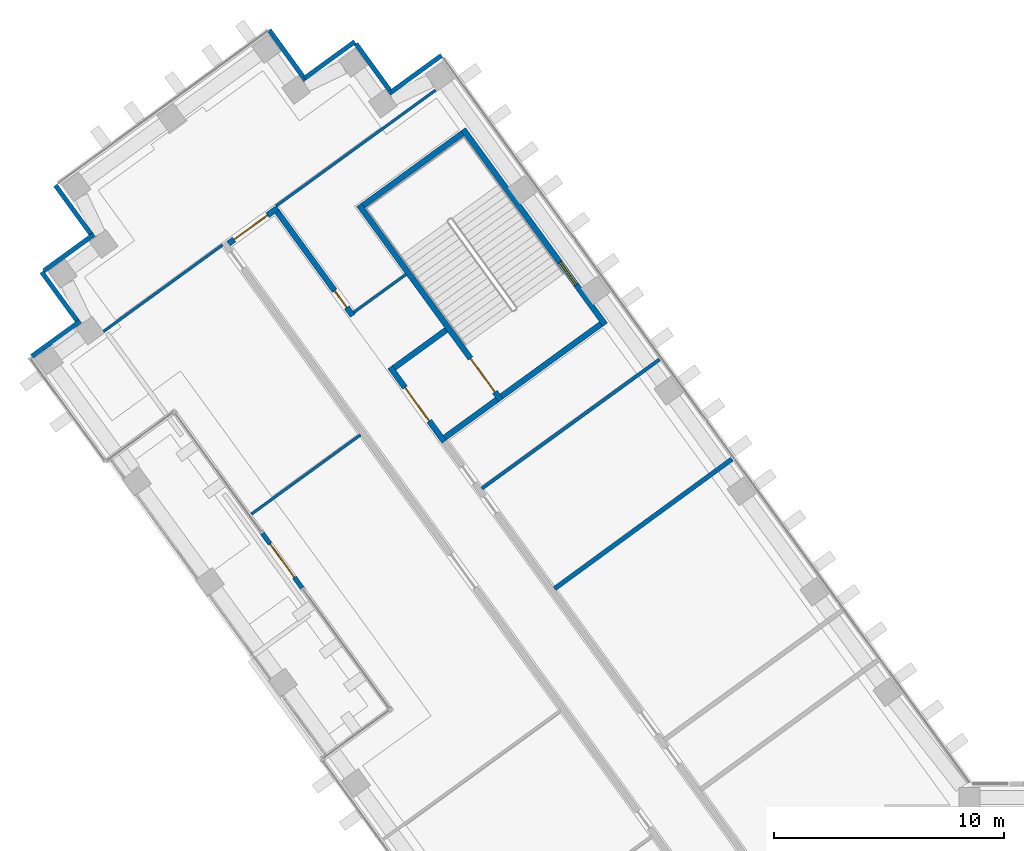
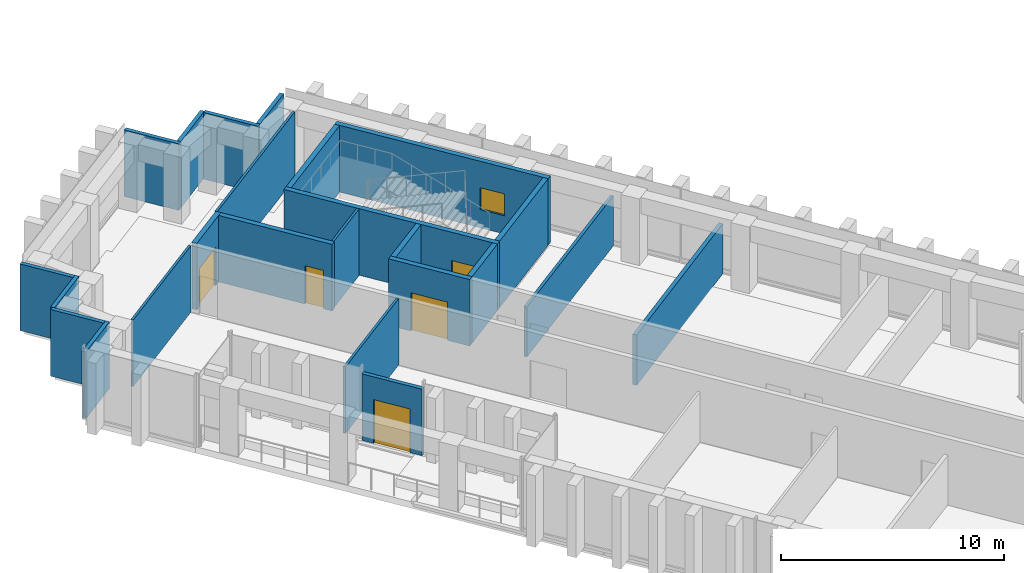
# One storey, part 10 of 17: 24 walls, 5 doors, 1 window, 6 openings.
"""IFC4 building model written with IfcOpenShell, lengths in metres."""

from ifc_helpers import new_model, si_unit, direction, frame, frame_2d, origin, place, context, subcontext, project, spatial, rectangle, extrude, material, layer, layer_set, type_object, element, fill, save


model = new_model("IFC4")

# Units and contexts
model_context = context("Model", 3, precision=1e-05, world=origin(), true_north=direction((0.0, 1.0)))
body_context = subcontext(model_context, "Body", "Model", "MODEL_VIEW")
ifc_project = project(units=[si_unit("LENGTHUNIT", "METRE"), si_unit("AREAUNIT", "SQUARE_METRE"), si_unit("VOLUMEUNIT", "CUBIC_METRE"), si_unit("PLANEANGLEUNIT", "RADIAN"), si_unit("MASSUNIT", "GRAM", prefix="KILO")], contexts=[model_context])

# Site, building, storey
site_placement = place(None, origin())
site = spatial("IfcSite", under=ifc_project, at=site_placement, CompositionType="ELEMENT")
building_placement = place(site_placement, origin())
building = spatial("IfcBuilding", under=site, at=building_placement, Name="Quipu Civic Tower", CompositionType="ELEMENT")
storey_placement = place(building_placement, frame((0.0, 0.0, 43.0)))
storey = spatial("IfcBuildingStorey", under=building, at=storey_placement, Name="L09", CompositionType="ELEMENT", Elevation=43.0)

# Walls
ifc_material_1 = material(Name="Double gypsum plasterboard with mineral wool")
ifc_layer_1 = layer(ifc_material_1, 0.14990234375)
ifc_layer_set_1 = layer_set([ifc_layer_1], Name="Double gypsum plasterboard with mineral wool")
wall_type_1 = type_object("IfcWallType", Name="Acoustic partition 150 plasterboard", PredefinedType="PARTITIONING", material=ifc_layer_set_1)
wall_1_placement = place(storey_placement, frame((-27.873046875, 29.550537109375, 0.0), z_axis=(0.0, 0.0, 1.0), x_axis=(-0.809043311713, -0.587749027879, 0.0)))
element("IfcWall", 1, at=wall_1_placement, inside=storey, type_object=wall_type_1, Name="Partition P15", PredefinedType="PARTITIONING", context=body_context, shape_type="SweptSolid", body=[
    extrude(rectangle(XDim=9.549560546875, YDim=0.14990234375, at=frame_2d((4.77490234375, 0.0))), origin(), (0.0, 0.0, 1.0), 2.75),
])
ifc_material_2 = material(Name="Fired clay blockwork", Category="masonry")
ifc_layer_2 = layer(ifc_material_2, 0.199951171875)
ifc_layer_set_2 = layer_set([ifc_layer_2], Name="Fired clay blockwork")
wall_type_2 = type_object("IfcWallType", Name="Blockwork wall 200", PredefinedType="SOLIDWALL", material=ifc_layer_set_2)
wall_2_placement = place(storey_placement, frame((-32.43701171875, 19.5849609375, 0.0), z_axis=(0.0, 0.0, 1.0), x_axis=(0.807606997933, 0.589721067023, 0.0)))
element("IfcWall", 2, at=wall_2_placement, inside=storey, type_object=wall_type_2, Name="Partition P14", PredefinedType="SOLIDWALL", context=body_context, shape_type="SweptSolid", body=[
    extrude(rectangle(XDim=9.550048828125, YDim=0.199951171875, at=frame_2d((4.77490234375, 0.0))), origin(), (0.0, 0.0, 1.0), 2.75),
])

# Wall, opening, window
ifc_material_3 = material(Name="Concrete C70/85", Category="concrete")
ifc_layer_3 = layer(ifc_material_3, 0.25)
ifc_layer_set_3 = layer_set([ifc_layer_3], Name="Concrete C70/85")
wall_type_3 = type_object("IfcWallType", Name="Core wall 250", PredefinedType="SHEAR", material=ifc_layer_set_3)
wall_3_placement = place(storey_placement, frame((-30.239501953125, 31.06396484375, 0.0), z_axis=(0.0, 0.0, 1.0), x_axis=(-0.587795589702, 0.809009483706, 0.0)))
wall_3 = element("IfcWall", 3, at=wall_3_placement, inside=storey, type_object=wall_type_3, Name="Core wall", PredefinedType="SHEAR", context=body_context, shape_type="SweptSolid", body=[
    extrude(rectangle(XDim=10.5, YDim=0.25, at=frame_2d((5.25, 0.0))), origin(), (0.0, 0.0, 1.0), 3.64990234375),
])
opening_1_placement = place(wall_3_placement, frame((2.14990234375, 0.0, 1.0)))
opening_1 = element("IfcOpeningElement", 4, at=opening_1_placement, cuts=wall_3, Name="Opening SV-6", PredefinedType="OPENING", context=body_context, shape_type="SweptSolid", body=[
    extrude(rectangle(XDim=1.199951171875, YDim=1.199951171875, at=frame_2d((0.60009765625, 0.60009765625))), frame((0.0, 0.135009765625, 0.0), z_axis=(0.0, -1.0, 0.0), x_axis=(1.0, 0.0, 0.0)), (0.0, 0.0, 1.0), 0.27001953125),
])
ifc_material_4 = material(Name="Aluminium louvre", Category="aluminium")
window_type = type_object("IfcWindowType", Name="Stair ventilation louvre 1200 x 1200", PartitioningType="SINGLE_PANEL", PredefinedType="WINDOW", material=ifc_material_4)
window_placement = place(opening_1_placement, origin())
window = element("IfcWindow", 5, at=window_placement, inside=storey, type_object=window_type, Name="Stair ventilation opening", OverallHeight=1.199951171875, OverallWidth=1.199951171875, PartitioningType="SINGLE_PANEL", PredefinedType="WINDOW", context=body_context, shape_type="SweptSolid", body=[
    extrude(rectangle(XDim=1.199951171875, YDim=1.199951171875, at=frame_2d((0.60009765625, 0.60009765625))), frame((0.0, 0.030029296875, 0.0), z_axis=(0.0, -1.0, 0.0), x_axis=(1.0, 0.0, 0.0)), (0.0, 0.0, 1.0), 0.06005859375),
])
fill(opening_1, window)

# Walls
wall_4_placement = place(storey_placement, frame((-30.414306640625, 31.091796875, 0.0), z_axis=(0.0, 0.0, 1.0), x_axis=(-0.8089984606, -0.587810760999, 0.0)))
element("IfcWall", 6, at=wall_4_placement, inside=storey, type_object=wall_type_3, Name="Core wall", PredefinedType="SHEAR", context=body_context, shape_type="SweptSolid", body=[
    extrude(rectangle(XDim=5.35009765625, YDim=0.25, at=frame_2d((2.675048828125, 0.0))), origin(), (0.0, 0.0, 1.0), 3.64990234375),
])
wall_5_placement = place(storey_placement, frame((-36.43896484375, 39.384033203125, 0.0), z_axis=(0.0, 0.0, 1.0), x_axis=(-0.809020161303, -0.587780893365, 0.0)))
element("IfcWall", 7, at=wall_5_placement, inside=storey, type_object=wall_type_3, Name="Core wall", PredefinedType="SHEAR", context=body_context, shape_type="SweptSolid", body=[
    extrude(rectangle(XDim=5.349853515625, YDim=0.25, at=frame_2d((2.6748046875, 0.0))), origin(), (0.0, 0.0, 1.0), 3.64990234375),
])

# Wall, opening, door
wall_6_placement = place(storey_placement, frame((-40.94189453125, 36.26708984375, 0.0), z_axis=(0.0, 0.0, 1.0), x_axis=(0.587795589702, -0.809009483706, 0.0)))
wall_6 = element("IfcWall", 8, at=wall_6_placement, inside=storey, type_object=wall_type_3, Name="Core wall", PredefinedType="SHEAR", context=body_context, shape_type="SweptSolid", body=[
    extrude(rectangle(XDim=10.5, YDim=0.25, at=frame_2d((5.25, 0.0))), origin(), (0.0, 0.0, 1.0), 3.64990234375),
])
opening_2_placement = place(wall_6_placement, frame((8.25, 0.0, 0.0)))
opening_2 = element("IfcOpeningElement", 9, at=opening_2_placement, cuts=wall_6, Name="Opening CD-18", PredefinedType="OPENING", context=body_context, shape_type="SweptSolid", body=[
    extrude(rectangle(XDim=1.800048828125, YDim=2.10009765625, at=frame_2d((0.89990234375, 1.050048828125))), frame((0.0, 0.135009765625, 0.0), z_axis=(0.0, -1.0, 0.0), x_axis=(1.0, 0.0, 0.0)), (0.0, 0.0, 1.0), 0.27001953125),
])
ifc_material_5 = material(Name="Fire rated steel door", Category="steel")
door_type_1 = type_object("IfcDoorType", Name="Fire door FD90 double 1800 x 2100", OperationType="NOTDEFINED", PredefinedType="DOOR", material=ifc_material_5)
door_1_placement = place(opening_2_placement, origin())
door_1 = element("IfcDoor", 10, at=door_1_placement, inside=storey, type_object=door_type_1, Name="Door", OperationType="DOUBLE_DOOR_SINGLE_SWING", OverallHeight=2.10009765625, OverallWidth=1.800048828125, PredefinedType="DOOR", context=body_context, shape_type="SweptSolid", body=[
    extrude(rectangle(XDim=1.800048828125, YDim=2.10009765625, at=frame_2d((0.89990234375, 1.050048828125))), frame((0.0, 0.02490234375, 0.0), z_axis=(0.0, -1.0, 0.0), x_axis=(1.0, 0.0, 0.0)), (0.0, 0.0, 1.0), 0.050048828125),
])
fill(opening_2, door_1)

# Walls
for number, where, z_axis, x_axis, name in (
    (11, (-34.944580078125, 27.800048828125, 0.0), (0.0, 0.0, 1.0), (-0.809041377956, -0.587751689708, 0.0), "Core wall"),
    (12, (-37.14892578125, 30.833984375, 0.0), (0.0, 0.0, 1.0), (-0.808969789945, -0.58785021813, 0.0), "Core wall"),
):
    element("IfcWall", number, at=place(storey_placement, frame(where, z_axis=z_axis, x_axis=x_axis)), inside=storey, type_object=wall_type_3, Name=name, PredefinedType="SHEAR", context=body_context, shape_type="SweptSolid", body=[
        extrude(rectangle(XDim=2.800048828125, YDim=0.25, at=frame_2d((1.39990234375, 0.0))), origin(), (0.0, 0.0, 1.0), 3.64990234375),
    ])

# Wall, opening, door
wall_7_placement = place(storey_placement, frame((-39.588623046875, 29.2158203125, 0.0), z_axis=(0.0, 0.0, 1.0), x_axis=(0.587772420479, -0.809026317077, 0.0)))
wall_7 = element("IfcWall", 13, at=wall_7_placement, inside=storey, type_object=wall_type_3, Name="Core wall", PredefinedType="SHEAR", context=body_context, shape_type="SweptSolid", body=[
    extrude(rectangle(XDim=4.0, YDim=0.25, at=frame_2d((2.0, 0.0))), origin(), (0.0, 0.0, 1.0), 3.64990234375),
])
opening_3_placement = place(wall_7_placement, frame((1.10009765625, 0.0, 0.0)))
opening_3 = element("IfcOpeningElement", 14, at=opening_3_placement, cuts=wall_7, Name="Opening CD-19", PredefinedType="OPENING", context=body_context, shape_type="SweptSolid", body=[
    extrude(rectangle(XDim=1.800048828125, YDim=2.10009765625, at=frame_2d((0.89990234375, 1.050048828125))), frame((0.0, 0.135009765625, 0.0), z_axis=(0.0, -1.0, 0.0), x_axis=(1.0, 0.0, 0.0)), (0.0, 0.0, 1.0), 0.27001953125),
])
door_2_placement = place(opening_3_placement, origin())
door_2 = element("IfcDoor", 15, at=door_2_placement, inside=storey, type_object=door_type_1, Name="Lobby door", OperationType="DOUBLE_DOOR_SINGLE_SWING", OverallHeight=2.10009765625, OverallWidth=1.800048828125, PredefinedType="DOOR", context=body_context, shape_type="SweptSolid", body=[
    extrude(rectangle(XDim=1.800048828125, YDim=2.10009765625, at=frame_2d((0.89990234375, 1.050048828125))), frame((0.0, 0.02490234375, 0.0), z_axis=(0.0, -1.0, 0.0), x_axis=(1.0, 0.0, 0.0)), (0.0, 0.0, 1.0), 0.050048828125),
])
fill(opening_3, door_2)

ifc_material_6 = material(Name="Concrete C50/60", Category="concrete")
ifc_layer_4 = layer(ifc_material_6, 0.25)
ifc_layer_set_4 = layer_set([ifc_layer_4], Name="Concrete C50/60")
wall_type_4 = type_object("IfcWallType", Name="Corridor wall 250 concrete", PredefinedType="SOLIDWALL", material=ifc_layer_set_4)
wall_8_placement = place(storey_placement, frame((-46.613037109375, 34.587890625, 0.0), z_axis=(0.0, 0.0, 1.0), x_axis=(0.808994936898, 0.587815610607, 0.0)))
wall_8 = element("IfcWall", 16, at=wall_8_placement, inside=storey, type_object=wall_type_4, Name="Corridor wall C02", PredefinedType="SOLIDWALL", context=body_context, shape_type="SweptSolid", body=[
    extrude(rectangle(XDim=2.650146484375, YDim=0.25, at=frame_2d((1.3251953125, 0.0))), origin(), (0.0, 0.0, 1.0), 3.64990234375),
])
opening_4_placement = place(wall_8_placement, frame((0.29931640625, 0.0, 0.0)))
opening_4 = element("IfcOpeningElement", 17, at=opening_4_placement, cuts=wall_8, Name="Opening D023", PredefinedType="OPENING", context=body_context, shape_type="SweptSolid", body=[
    extrude(rectangle(XDim=1.800048828125, YDim=2.10009765625, at=frame_2d((0.89990234375, 1.050048828125))), frame((0.0, 0.135009765625, 0.0), z_axis=(0.0, -1.0, 0.0), x_axis=(1.0, 0.0, 0.0)), (0.0, 0.0, 1.0), 0.27001953125),
])
ifc_material_7 = material(Name="Fire rated timber door set with metal frame", Category="wood")
door_type_2 = type_object("IfcDoorType", Name="Double door 1800 x 2100 FD60", OperationType="DOUBLE_DOOR_SINGLE_SWING", PredefinedType="DOOR", material=ifc_material_7)
door_3_placement = place(opening_4_placement, origin())
door_3 = element("IfcDoor", 18, at=door_3_placement, inside=storey, type_object=door_type_2, Name="Door D023", OperationType="DOUBLE_DOOR_SINGLE_SWING", OverallHeight=2.10009765625, OverallWidth=1.800048828125, PredefinedType="DOOR", context=body_context, shape_type="SweptSolid", body=[
    extrude(rectangle(XDim=1.800048828125, YDim=2.10009765625, at=frame_2d((0.89990234375, 1.050048828125))), frame((0.0, 0.02490234375, 0.0), z_axis=(0.0, -1.0, 0.0), x_axis=(1.0, 0.0, 0.0)), (0.0, 0.0, 1.0), 0.050048828125),
])
fill(opening_4, door_3)

wall_9_placement = place(storey_placement, frame((-44.49658203125, 35.97119140625, 0.0), z_axis=(0.0, 0.0, 1.0), x_axis=(0.587742866856, -0.809047787501, 0.0)))
wall_9 = element("IfcWall", 19, at=wall_9_placement, inside=storey, type_object=wall_type_4, Name="Corridor wall C03", PredefinedType="SOLIDWALL", context=body_context, shape_type="SweptSolid", body=[
    extrude(rectangle(XDim=5.58642578125, YDim=0.25, at=frame_2d((2.793212890625, 0.0))), origin(), (0.0, 0.0, 1.0), 3.64990234375),
])
opening_5_placement = place(wall_9_placement, frame((4.2451171875, 0.0, 0.0)))
opening_5 = element("IfcOpeningElement", 20, at=opening_5_placement, cuts=wall_9, Name="Opening D012", PredefinedType="OPENING", context=body_context, shape_type="SweptSolid", body=[
    extrude(rectangle(XDim=0.89990234375, YDim=2.10009765625, at=frame_2d((0.449951171875, 1.050048828125))), frame((0.0, 0.135009765625, 0.0), z_axis=(0.0, -1.0, 0.0), x_axis=(1.0, 0.0, 0.0)), (0.0, 0.0, 1.0), 0.27001953125),
])
ifc_material_8 = material(Name="Fire rated timber door set with metal frame", Category="wood")
door_type_3 = type_object("IfcDoorType", Name="Single door 900 x 2100 FD60", OperationType="NOTDEFINED", PredefinedType="DOOR", material=ifc_material_8)
door_4_placement = place(opening_5_placement, origin())
door_4 = element("IfcDoor", 21, at=door_4_placement, inside=storey, type_object=door_type_3, Name="Door D012", OperationType="SINGLE_SWING_RIGHT", OverallHeight=2.10009765625, OverallWidth=0.89990234375, PredefinedType="DOOR", context=body_context, shape_type="SweptSolid", body=[
    extrude(rectangle(XDim=0.89990234375, YDim=2.10009765625, at=frame_2d((0.449951171875, 1.050048828125))), frame((0.0, 0.02490234375, 0.0), z_axis=(0.0, -1.0, 0.0), x_axis=(1.0, 0.0, 0.0)), (0.0, 0.0, 1.0), 0.050048828125),
])
fill(opening_5, door_4)

# Walls
ifc_material_9 = material(Name="Gypsum plasterboard on light gauge framing")
ifc_layer_5 = layer(ifc_material_9, 0.1201171875)
ifc_layer_set_5 = layer_set([ifc_layer_5], Name="Gypsum plasterboard on light gauge framing")
wall_type_5 = type_object("IfcWallType", Name="Partition 120 plasterboard", PredefinedType="PARTITIONING", material=ifc_layer_set_5)
wall_10_placement = place(storey_placement, frame((-40.878173828125, 26.269775390625, 0.0), z_axis=(0.0, 0.0, 1.0), x_axis=(-0.809117558419, -0.587646812855, 0.0)))
element("IfcWall", 22, at=wall_10_placement, inside=storey, type_object=wall_type_5, Name="Partition P03", PredefinedType="PARTITIONING", context=body_context, shape_type="SweptSolid", body=[
    extrude(rectangle(XDim=5.864501953125, YDim=0.1201171875, at=frame_2d((2.93212890625, 0.0))), origin(), (0.0, 0.0, 1.0), 3.64990234375),
])
wall_11_placement = place(storey_placement, frame((-37.614013671875, 41.2568359375, 0.0), z_axis=(0.0, 0.0, 1.0), x_axis=(-0.808991595707, -0.587820208972, 0.0)))
element("IfcWall", 23, at=wall_11_placement, inside=storey, type_object=wall_type_5, Name="Partition P08", PredefinedType="PARTITIONING", context=body_context, shape_type="SweptSolid", body=[
    extrude(rectangle(XDim=8.550537109375, YDim=0.1201171875, at=frame_2d((4.275390625, 0.0))), origin(), (0.0, 0.0, 1.0), 3.64990234375),
])
wall_12_placement = place(storey_placement, frame((-46.877197265625, 34.52587890625, 0.0), z_axis=(0.0, 0.0, 1.0), x_axis=(-0.808993566199, -0.587817497059, 0.0)))
element("IfcWall", 24, at=wall_12_placement, inside=storey, type_object=wall_type_5, Name="Partition P09", PredefinedType="PARTITIONING", context=body_context, shape_type="SweptSolid", body=[
    extrude(rectangle(XDim=6.39453125, YDim=0.1201171875, at=frame_2d((3.197265625, 0.0))), origin(), (0.0, 0.0, 1.0), 3.64990234375),
])
wall_13_placement = place(storey_placement, frame((-41.166015625, 31.59912109375, 0.0), z_axis=(0.0, 0.0, 1.0), x_axis=(0.809090262332, 0.587684394381, 0.0)))
element("IfcWall", 25, at=wall_13_placement, inside=storey, type_object=wall_type_5, Name="Partition P21", PredefinedType="PARTITIONING", context=body_context, shape_type="SweptSolid", body=[
    extrude(rectangle(XDim=2.80078125, YDim=0.1201171875, at=frame_2d((1.400390625, 0.0))), origin(), (0.0, 0.0, 1.0), 3.64990234375),
])
ifc_material_10 = material(Name="Precast concrete C40/50", Category="concrete")
wall_type_6 = type_object("IfcWallType", Name="Precast cladding wall", PredefinedType="SOLIDWALL", material=ifc_material_10)
wall_14_placement = place(storey_placement, frame((-52.46533203125, 34.9873046875, 0.0), z_axis=(0.0, 0.0, 1.0), x_axis=(-0.809033161865, -0.587762999008, 0.0)))
element("IfcWall", 26, at=wall_14_placement, inside=storey, type_object=wall_type_6, Name="Precast cladding wall L09 P01", PredefinedType="SOLIDWALL", context=body_context, shape_type="SweptSolid", body=[
    extrude(rectangle(XDim=2.699951171875, YDim=0.199951171875, at=frame_2d((1.35009765625, 0.0))), origin(), (0.0, 0.0, 1.0), 3.64990234375),
])
wall_15_placement = place(storey_placement, frame((-54.73779296875, 33.351318359375, 0.0), z_axis=(0.0, 0.0, 1.0), x_axis=(0.587779184282, -0.809021403008, 0.0)))
element("IfcWall", 27, at=wall_15_placement, inside=storey, type_object=wall_type_6, Name="Precast cladding wall L09 P02", PredefinedType="SOLIDWALL", context=body_context, shape_type="SweptSolid", body=[
    extrude(rectangle(XDim=2.7001953125, YDim=0.199951171875, at=frame_2d((1.35009765625, 0.0))), origin(), (0.0, 0.0, 1.0), 3.64990234375),
])
wall_16_placement = place(storey_placement, frame((-53.062744140625, 31.2158203125, 0.0), z_axis=(0.0, 0.0, 1.0), x_axis=(-0.80902431253, -0.587775179585, 0.0)))
element("IfcWall", 28, at=wall_16_placement, inside=storey, type_object=wall_type_6, Name="Precast cladding wall L09 P03", PredefinedType="SOLIDWALL", context=body_context, shape_type="SweptSolid", body=[
    extrude(rectangle(XDim=2.599853515625, YDim=0.199951171875, at=frame_2d((1.2998046875, 0.0))), origin(), (0.0, 0.0, 1.0), 3.64990234375),
])
wall_17_placement = place(storey_placement, frame((-37.352783203125, 42.768310546875, 0.0), z_axis=(0.0, 0.0, 1.0), x_axis=(-0.809033161865, -0.587762999008, 0.0)))
element("IfcWall", 29, at=wall_17_placement, inside=storey, type_object=wall_type_6, Name="Precast cladding wall L09 36", PredefinedType="SOLIDWALL", context=body_context, shape_type="SweptSolid", body=[
    extrude(rectangle(XDim=2.699951171875, YDim=0.199951171875, at=frame_2d((1.35009765625, 0.0))), origin(), (0.0, 0.0, 1.0), 3.64990234375),
])
wall_18_placement = place(storey_placement, frame((-39.488037109375, 41.093505859375, 0.0), z_axis=(0.0, 0.0, 1.0), x_axis=(-0.587806000234, 0.809001919707, 0.0)))
element("IfcWall", 30, at=wall_18_placement, inside=storey, type_object=wall_type_6, Name="Precast cladding wall L09 37", PredefinedType="SOLIDWALL", context=body_context, shape_type="SweptSolid", body=[
    extrude(rectangle(XDim=2.69970703125, YDim=0.199951171875, at=frame_2d((1.349853515625, 0.0))), origin(), (0.0, 0.0, 1.0), 3.64990234375),
])
for number, where, z_axis, x_axis, name in (
    (31, (-41.1240234375, 43.36572265625, 0.0), (0.0, 0.0, 1.0), (-0.809033161865, -0.587762999008, 0.0), "Precast cladding wall L09 38"),
    (32, (-43.25927734375, 41.690673828125, 0.0), (0.0, 0.0, 1.0), (-0.587822180636, 0.808990163075, 0.0), "Precast cladding wall L09 39"),
    (33, (-54.140380859375, 37.12255859375, 0.0), (0.0, 0.0, 1.0), (0.587822180636, -0.808990163075, 0.0), "Precast cladding wall L09 41"),
):
    element("IfcWall", number, at=place(storey_placement, frame(where, z_axis=z_axis, x_axis=x_axis)), inside=storey, type_object=wall_type_6, Name=name, PredefinedType="SOLIDWALL", context=body_context, shape_type="SweptSolid", body=[
        extrude(rectangle(XDim=2.699951171875, YDim=0.199951171875, at=frame_2d((1.35009765625, 0.0))), origin(), (0.0, 0.0, 1.0), 3.64990234375),
    ])

# Wall, opening, door
ifc_material_11 = material(Name="Precast concrete C40/50", Category="concrete")
wall_type_7 = type_object("IfcWallType", Name="Precast door surround", PredefinedType="SOLIDWALL", material=ifc_material_11)
wall_19_placement = place(storey_placement, frame((-43.40771484375, 19.60400390625, 0.0), z_axis=(0.0, 0.0, 1.0), x_axis=(-0.587774760134, 0.809024617271, 0.0)))
wall_19 = element("IfcWall", 34, at=wall_19_placement, inside=storey, type_object=wall_type_7, Name="Door surround ED-L09-1", PredefinedType="SOLIDWALL", context=body_context, shape_type="SweptSolid", body=[
    extrude(rectangle(XDim=2.962890625, YDim=0.199951171875, at=frame_2d((1.4814453125, 0.0))), origin(), (0.0, 0.0, 1.0), 3.64990234375),
])
opening_6_placement = place(wall_19_placement, frame((0.58154296875, 0.0, 0.0)))
opening_6 = element("IfcOpeningElement", 35, at=opening_6_placement, cuts=wall_19, Name="Opening ED-L09-1", PredefinedType="OPENING", context=body_context, shape_type="SweptSolid", body=[
    extrude(rectangle(XDim=1.800048828125, YDim=2.39990234375, at=frame_2d((0.89990234375, 1.199951171875))), frame((0.0, 0.10986328125, 0.0), z_axis=(0.0, -1.0, 0.0), x_axis=(1.0, 0.0, 0.0)), (0.0, 0.0, 1.0), 0.219970703125),
])
ifc_material_12 = material(Name="Aluminium framed glazed door", Category="aluminium")
door_type_4 = type_object("IfcDoorType", Name="Terrace door E3", OperationType="DOUBLE_DOOR_SINGLE_SWING", PredefinedType="DOOR", material=ifc_material_12)
door_5_placement = place(opening_6_placement, origin())
door_5 = element("IfcDoor", 36, at=door_5_placement, inside=storey, type_object=door_type_4, Name="E3 door ED-L09-1", OperationType="DOUBLE_DOOR_SINGLE_SWING", OverallHeight=2.39990234375, OverallWidth=1.800048828125, PredefinedType="DOOR", context=body_context, shape_type="SweptSolid", body=[
    extrude(rectangle(XDim=1.800048828125, YDim=2.39990234375, at=frame_2d((0.89990234375, 1.199951171875))), frame((0.0, 0.02490234375, 0.0), z_axis=(0.0, -1.0, 0.0), x_axis=(1.0, 0.0, 0.0)), (0.0, 0.0, 1.0), 0.050048828125),
])
fill(opening_6, door_5)

save(model, "model.ifc")
